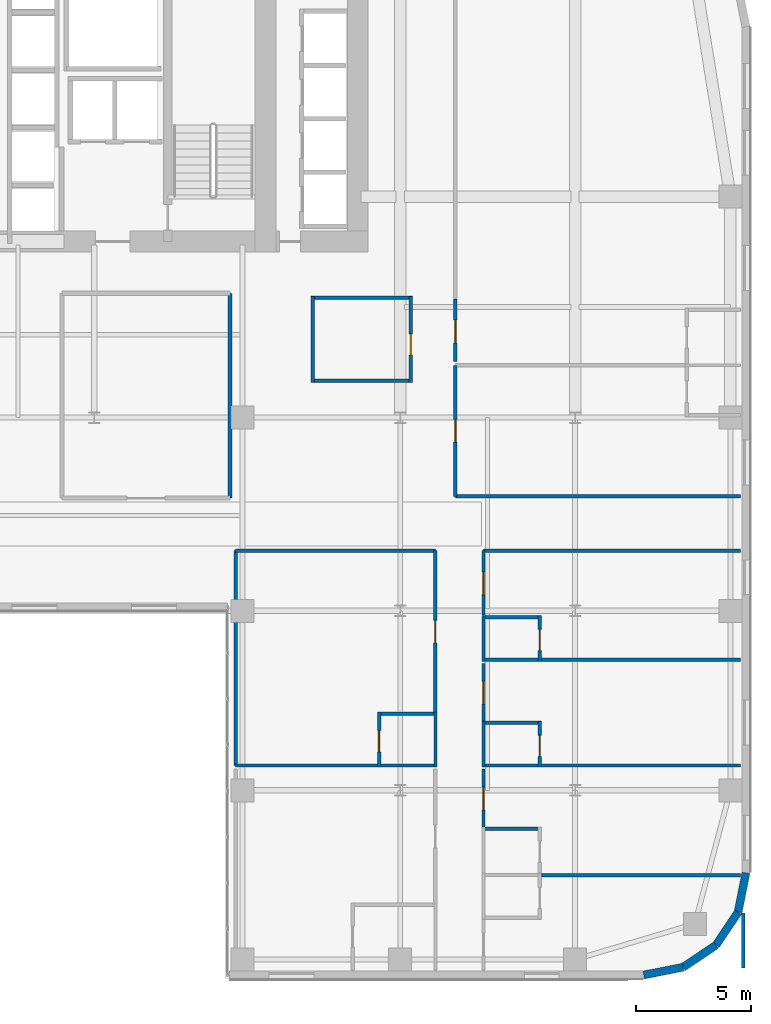
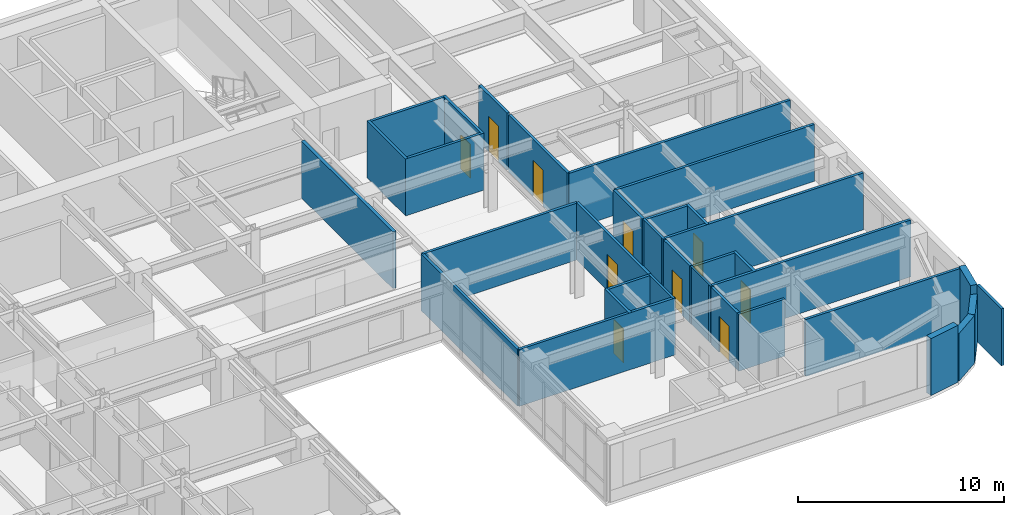
# One storey, part 16 of 24: 34 walls, 10 doors, 10 openings.
"""IFC4 building model written with IfcOpenShell, lengths in metres."""

from ifc_helpers import new_model, si_unit, direction, frame, frame_2d, origin, place, context, subcontext, project, spatial, rectangle, extrude, source, transform, mapped, material, layer, layer_set, type_object, type_shapes, element, fill, save


model = new_model("IFC4")

# Units and contexts
model_context = context("Model", 3, precision=1e-05, world=origin(), true_north=direction((0.0, 1.0)))
body_context = subcontext(model_context, "Body", "Model", "MODEL_VIEW")
ifc_project = project(units=[si_unit("LENGTHUNIT", "METRE"), si_unit("AREAUNIT", "SQUARE_METRE"), si_unit("VOLUMEUNIT", "CUBIC_METRE"), si_unit("PLANEANGLEUNIT", "RADIAN"), si_unit("MASSUNIT", "GRAM", prefix="KILO")], contexts=[model_context])

# Site, building, storey
site_placement = place(None, origin())
site = spatial("IfcSite", under=ifc_project, at=site_placement, CompositionType="ELEMENT")
building_placement = place(site_placement, origin())
building = spatial("IfcBuilding", under=site, at=building_placement, Name="Tolvann Quenvar Hotel", CompositionType="ELEMENT")
storey_placement = place(building_placement, frame((0.0, 0.0, 67.5)))
storey = spatial("IfcBuildingStorey", under=building, at=storey_placement, Name="L16", CompositionType="ELEMENT", Elevation=67.5)

# Walls
ifc_material_1 = material(Name="Kiln-fired red and buff architectural clay brickwork and terracotta masonry", Category="masonry")
ifc_layer_1 = layer(ifc_material_1, 0.35009765625)
ifc_layer_set_1 = layer_set([ifc_layer_1], Name="Kiln-fired red and buff architectural clay brickwork and terracotta masonry")
wall_type_1 = type_object("IfcWallType", Name="WALL_EXT_BRICK_350", PredefinedType="SOLIDWALL", material=ifc_layer_set_1)
wall_1_placement = place(storey_placement, frame((52.3828125, 0.175048828125, 0.0), z_axis=(0.0, 0.0, 1.0), x_axis=(0.980800971659, 0.195011420161, 0.0)))
element("IfcWall", 1, at=wall_1_placement, inside=storey, type_object=wall_type_1, Name="Exterior Chicago Brick Wall L16-E09", PredefinedType="SOLIDWALL", context=body_context, shape_type="SweptSolid", body=[
    extrude(rectangle(XDim=1.74267578125, YDim=0.35009765625, at=frame_2d((0.871337890625, 0.0))), origin(), (0.0, 0.0, 1.0), 3.3701171875),
])
for number, where, z_axis, x_axis, name in (
    (2, (54.092041015625, 0.514892578125, 0.0), (0.0, 0.0, 1.0), (0.831483840845, 0.55554893791, 0.0), "Exterior Chicago Brick Wall L16-E10"),
    (3, (55.526611328125, 1.473388671875, 0.0), (0.0, 0.0, 1.0), (0.55554893791, 0.831483840845, 0.0), "Exterior Chicago Brick Wall L16-E11"),
):
    element("IfcWall", number, at=place(storey_placement, frame(where, z_axis=z_axis, x_axis=x_axis)), inside=storey, type_object=wall_type_1, Name=name, PredefinedType="SOLIDWALL", context=body_context, shape_type="SweptSolid", body=[
        extrude(rectangle(XDim=1.725341796875, YDim=0.35009765625, at=frame_2d((0.86279296875, 0.0))), origin(), (0.0, 0.0, 1.0), 2.83203125),
    ])
wall_2_placement = place(storey_placement, frame((56.485107421875, 2.907958984375, 0.0), z_axis=(0.0, 0.0, 1.0), x_axis=(0.195011420161, 0.980800971659, 0.0)))
element("IfcWall", 4, at=wall_2_placement, inside=storey, type_object=wall_type_1, Name="Exterior Chicago Brick Wall L16-E12", PredefinedType="SOLIDWALL", context=body_context, shape_type="SweptSolid", body=[
    extrude(rectangle(XDim=1.74267578125, YDim=0.35009765625, at=frame_2d((0.871337890625, 0.0))), origin(), (0.0, 0.0, 1.0), 3.3701171875),
])
ifc_material_2 = material(Name="Acoustic twin-stud fire-rated gypsum plasterboard partition")
ifc_layer_2 = layer(ifc_material_2, 0.179931640625)
ifc_layer_set_2 = layer_set([ifc_layer_2], Name="Acoustic twin-stud fire-rated gypsum plasterboard partition")
wall_type_2 = type_object("IfcWallType", Name="WALL_PART_ACOUSTIC_180", PredefinedType="PARTITIONING", material=ifc_layer_set_2)
wall_3_placement = place(storey_placement, frame((34.39990234375, 20.89990234375, 0.0), z_axis=(0.0, 0.0, 1.0), x_axis=(0.0, 1.0, 0.0)))
element("IfcWall", 5, at=wall_3_placement, inside=storey, type_object=wall_type_2, Name="Interior Partition PT-SPC-L16-MSP-C-E", PredefinedType="PARTITIONING", context=body_context, shape_type="SweptSolid", body=[
    extrude(rectangle(XDim=8.900146484375, YDim=0.179931640625, at=frame_2d((4.4501953125, 0.0))), origin(), (0.0, 0.0, 1.0), 3.3701171875),
])
ifc_material_3 = material(Name="Moisture-resistant acoustic plumbing wall assembly")
ifc_layer_3 = layer(ifc_material_3, 0.1201171875)
ifc_layer_set_3 = layer_set([ifc_layer_3], Name="Moisture-resistant acoustic plumbing wall assembly")
wall_type_3 = type_object("IfcWallType", Name="WALL_PART_BATH_120", PredefinedType="PLUMBINGWALL", material=ifc_layer_set_3)
wall_4_placement = place(storey_placement, frame((43.330078125, 9.2099609375, 0.0), z_axis=(0.0, 0.0, 1.0), x_axis=(0.0, 1.0, 0.0)))
element("IfcWall", 6, at=wall_4_placement, inside=storey, type_object=wall_type_3, Name="Non-Rated Plumbing Partition PT-SPC-L16-ENS-EI02-E", PredefinedType="PLUMBINGWALL", context=body_context, shape_type="SweptSolid", body=[
    extrude(rectangle(XDim=2.39013671875, YDim=0.1201171875, at=frame_2d((1.195068359375, 0.0))), origin(), (0.0, 0.0, 1.0), 3.3701171875),
])
for number, where, z_axis, x_axis, name in (
    (7, (45.419921875, 9.2099609375, 0.0), (0.0, 0.0, 1.0), (0.0, 1.0, 0.0), "Non-Rated Plumbing Partition PT-SPC-L16-ENS-EO03-W"),
    (8, (45.419921875, 13.81005859375, 0.0), (0.0, 0.0, 1.0), (0.0, 1.0, 0.0), "Non-Rated Plumbing Partition PT-SPC-L16-ENS-EO04-W"),
):
    element("IfcWall", number, at=place(storey_placement, frame(where, z_axis=z_axis, x_axis=x_axis)), inside=storey, type_object=wall_type_3, Name=name, PredefinedType="PLUMBINGWALL", context=body_context, shape_type="SweptSolid", body=[
        extrude(rectangle(XDim=1.989990234375, YDim=0.1201171875, at=frame_2d((0.9951171875, 0.0))), origin(), (0.0, 0.0, 1.0), 3.3701171875),
    ])

# Wall, opening, door
ifc_layer_4 = layer(ifc_material_2, 0.14990234375)
ifc_layer_set_4 = layer_set([ifc_layer_4], Name="Acoustic twin-stud fire-rated gypsum plasterboard partition")
wall_type_4 = type_object("IfcWallType", Name="WALL_PART_SUITE_150", PredefinedType="PARTITIONING", material=ifc_layer_set_4)
wall_5_placement = place(storey_placement, frame((40.8798828125, 9.2099609375, 0.0), z_axis=(0.0, 0.0, 1.0), x_axis=(0.0, 1.0, 0.0)))
wall_5 = element("IfcWall", 9, at=wall_5_placement, inside=storey, type_object=wall_type_4, Name="Interior Partition PT-SPC-L16-ENS-EI02-ENT", PredefinedType="PARTITIONING", context=body_context, shape_type="SweptSolid", body=[
    extrude(rectangle(XDim=2.39013671875, YDim=0.14990234375, at=frame_2d((1.195068359375, 0.0))), origin(), (0.0, 0.0, 1.0), 3.3701171875),
])
opening_1_placement = place(wall_5_placement, frame((0.6650390625, 0.0, 0.0)))
opening_1 = element("IfcOpeningElement", 10, at=opening_1_placement, cuts=wall_5, Name="Opening WD-01", PredefinedType="OPENING", context=body_context, shape_type="SweptSolid", body=[
    extrude(rectangle(XDim=0.919921875, YDim=2.010009765625, at=frame_2d((0.4599609375, 1.0048828125))), frame((0.0, 0.0849609375, 0.0), z_axis=(0.0, -1.0, 0.0), x_axis=(1.0, 0.0, 0.0)), (0.0, 0.0, 1.0), 0.169921875),
])
ifc_material_4 = material(Name="Solid-core American oak acoustic fire door leaf in steel frame", Category="steel")
door_type_1 = type_object("IfcDoorType", Name="DOOR_WC_920", OperationType="NOTDEFINED", PredefinedType="DOOR", material=ifc_material_4)
shared_shape_1 = source(origin(), body_context, "Body", "SweptSolid", [
    extrude(rectangle(XDim=0.919921875, YDim=2.010009765625, at=frame_2d((0.4599609375, 1.0048828125))), frame((0.0, 0.02490234375, 0.0), z_axis=(0.0, -1.0, 0.0), x_axis=(1.0, 0.0, 0.0)), (0.0, 0.0, 1.0), 0.050048828125),
])
type_shapes(door_type_1, [shared_shape_1])
door_1_placement = place(opening_1_placement, origin())
door_1 = element("IfcDoor", 11, at=door_1_placement, inside=storey, type_object=door_type_1, Name="Interior Door DOOR-SPC-L16-ENS-EI02", OperationType="SINGLE_SWING_RIGHT", OverallHeight=2.010009765625, OverallWidth=0.919921875, PredefinedType="DOOR", context=body_context, shape_type="MappedRepresentation", body=[
    mapped(shared_shape_1, transform((0.0, 0.0, 0.0), x_axis=(1.0, 0.0, 0.0), y_axis=(0.0, 1.0, 0.0), z_axis=(0.0, 0.0, 1.0), scale=1.0)),
])
fill(opening_1, door_1)

# Walls
wall_6_placement = place(storey_placement, frame((34.64990234375, 9.280029296875, 0.0), z_axis=(0.0, 0.0, 1.0), x_axis=(1.0, 0.0, 0.0)))
element("IfcWall", 12, at=wall_6_placement, inside=storey, type_object=wall_type_4, Name="Interior Partition PT-SPC-L16-ENS-EI02-S", PredefinedType="PARTITIONING", context=body_context, shape_type="SweptSolid", body=[
    extrude(rectangle(XDim=8.75, YDim=0.14990234375, at=frame_2d((4.375, 0.0))), origin(), (0.0, 0.0, 1.0), 3.3701171875),
])
for number, where, z_axis, x_axis, name in (
    (13, (40.81005859375, 11.530029296875, 0.0), (0.0, 0.0, 1.0), (1.0, 0.0, 0.0), "Interior Partition PT-SPC-L16-ENS-EI02-N"),
    (14, (45.35009765625, 6.530029296875, 0.0), (0.0, 0.0, 1.0), (1.0, 0.0, 0.0), "Interior Partition PT-SPC-L16-ENS-EO02-N"),
):
    element("IfcWall", number, at=place(storey_placement, frame(where, z_axis=z_axis, x_axis=x_axis)), inside=storey, type_object=wall_type_4, Name=name, PredefinedType="PARTITIONING", context=body_context, shape_type="SweptSolid", body=[
        extrude(rectangle(XDim=2.58984375, YDim=0.14990234375, at=frame_2d((1.294921875, 0.0))), origin(), (0.0, 0.0, 1.0), 3.3701171875),
    ])

# Wall, opening, door
wall_7_placement = place(storey_placement, frame((47.8701171875, 9.2099609375, 0.0), z_axis=(0.0, 0.0, 1.0), x_axis=(0.0, 1.0, 0.0)))
wall_7 = element("IfcWall", 15, at=wall_7_placement, inside=storey, type_object=wall_type_4, Name="Interior Partition PT-SPC-L16-ENS-EO03-ENT", PredefinedType="PARTITIONING", context=body_context, shape_type="SweptSolid", body=[
    extrude(rectangle(XDim=1.989990234375, YDim=0.14990234375, at=frame_2d((0.9951171875, 0.0))), origin(), (0.0, 0.0, 1.0), 3.3701171875),
])
opening_2_placement = place(wall_7_placement, frame((0.465087890625, 0.0, 0.0)))
opening_2 = element("IfcOpeningElement", 16, at=opening_2_placement, cuts=wall_7, Name="Opening WD-01", PredefinedType="OPENING", context=body_context, shape_type="SweptSolid", body=[
    extrude(rectangle(XDim=0.919921875, YDim=2.010009765625, at=frame_2d((0.4599609375, 1.0048828125))), frame((0.0, 0.0849609375, 0.0), z_axis=(0.0, -1.0, 0.0), x_axis=(1.0, 0.0, 0.0)), (0.0, 0.0, 1.0), 0.169921875),
])
door_2_placement = place(opening_2_placement, origin())
door_2 = element("IfcDoor", 17, at=door_2_placement, inside=storey, type_object=door_type_1, Name="Interior Door DOOR-SPC-L16-ENS-EO03", OperationType="SINGLE_SWING_LEFT", OverallHeight=2.010009765625, OverallWidth=0.919921875, PredefinedType="DOOR", context=body_context, shape_type="MappedRepresentation", body=[
    mapped(shared_shape_1, transform((0.0, 0.0, 0.0), x_axis=(1.0, 0.0, 0.0), y_axis=(0.0, 1.0, 0.0), z_axis=(0.0, 0.0, 1.0), scale=1.0)),
])
fill(opening_2, door_2)

# Walls
wall_8_placement = place(storey_placement, frame((45.35009765625, 9.280029296875, 0.0), z_axis=(0.0, 0.0, 1.0), x_axis=(1.0, 0.0, 0.0)))
element("IfcWall", 18, at=wall_8_placement, inside=storey, type_object=wall_type_4, Name="Interior Partition PT-SPC-L16-ENS-EO03-S", PredefinedType="PARTITIONING", context=body_context, shape_type="SweptSolid", body=[
    extrude(rectangle(XDim=11.244873046875, YDim=0.14990234375, at=frame_2d((5.62255859375, 0.0))), origin(), (0.0, 0.0, 1.0), 3.3701171875),
])
wall_9_placement = place(storey_placement, frame((45.35009765625, 11.1298828125, 0.0), z_axis=(0.0, 0.0, 1.0), x_axis=(1.0, 0.0, 0.0)))
element("IfcWall", 19, at=wall_9_placement, inside=storey, type_object=wall_type_4, Name="Interior Partition PT-SPC-L16-ENS-EO03-N", PredefinedType="PARTITIONING", context=body_context, shape_type="SweptSolid", body=[
    extrude(rectangle(XDim=2.58984375, YDim=0.14990234375, at=frame_2d((1.294921875, 0.0))), origin(), (0.0, 0.0, 1.0), 3.3701171875),
])

# Wall, opening, door
wall_10_placement = place(storey_placement, frame((47.8701171875, 13.81005859375, 0.0), z_axis=(0.0, 0.0, 1.0), x_axis=(0.0, 1.0, 0.0)))
wall_10 = element("IfcWall", 20, at=wall_10_placement, inside=storey, type_object=wall_type_4, Name="Interior Partition PT-SPC-L16-ENS-EO04-ENT", PredefinedType="PARTITIONING", context=body_context, shape_type="SweptSolid", body=[
    extrude(rectangle(XDim=1.989990234375, YDim=0.14990234375, at=frame_2d((0.9951171875, 0.0))), origin(), (0.0, 0.0, 1.0), 3.3701171875),
])
opening_3_placement = place(wall_10_placement, frame((0.465087890625, 0.0, 0.0)))
opening_3 = element("IfcOpeningElement", 21, at=opening_3_placement, cuts=wall_10, Name="Opening WD-01", PredefinedType="OPENING", context=body_context, shape_type="SweptSolid", body=[
    extrude(rectangle(XDim=0.919921875, YDim=2.010009765625, at=frame_2d((0.4599609375, 1.0048828125))), frame((0.0, 0.0849609375, 0.0), z_axis=(0.0, -1.0, 0.0), x_axis=(1.0, 0.0, 0.0)), (0.0, 0.0, 1.0), 0.169921875),
])
door_3_placement = place(opening_3_placement, origin())
door_3 = element("IfcDoor", 22, at=door_3_placement, inside=storey, type_object=door_type_1, Name="Interior Door DOOR-SPC-L16-ENS-EO04", OperationType="SINGLE_SWING_RIGHT", OverallHeight=2.010009765625, OverallWidth=0.919921875, PredefinedType="DOOR", context=body_context, shape_type="MappedRepresentation", body=[
    mapped(shared_shape_1, transform((0.0, 0.0, 0.0), x_axis=(1.0, 0.0, 0.0), y_axis=(0.0, 1.0, 0.0), z_axis=(0.0, 0.0, 1.0), scale=1.0)),
])
fill(opening_3, door_3)

# Walls
wall_11_placement = place(storey_placement, frame((45.35009765625, 13.8798828125, 0.0), z_axis=(0.0, 0.0, 1.0), x_axis=(1.0, 0.0, 0.0)))
element("IfcWall", 23, at=wall_11_placement, inside=storey, type_object=wall_type_4, Name="Interior Partition PT-SPC-L16-ENS-EO04-S", PredefinedType="PARTITIONING", context=body_context, shape_type="SweptSolid", body=[
    extrude(rectangle(XDim=11.244873046875, YDim=0.14990234375, at=frame_2d((5.62255859375, 0.0))), origin(), (0.0, 0.0, 1.0), 3.3701171875),
])
wall_12_placement = place(storey_placement, frame((45.35009765625, 15.72998046875, 0.0), z_axis=(0.0, 0.0, 1.0), x_axis=(1.0, 0.0, 0.0)))
element("IfcWall", 24, at=wall_12_placement, inside=storey, type_object=wall_type_4, Name="Interior Partition PT-SPC-L16-ENS-EO04-N", PredefinedType="PARTITIONING", context=body_context, shape_type="SweptSolid", body=[
    extrude(rectangle(XDim=2.58984375, YDim=0.14990234375, at=frame_2d((1.294921875, 0.0))), origin(), (0.0, 0.0, 1.0), 3.3701171875),
])

# Wall, opening, door
wall_13_placement = place(storey_placement, frame((43.330078125, 11.610107421875, 0.0), z_axis=(0.0, 0.0, 1.0), x_axis=(0.0, 1.0, 0.0)))
wall_13 = element("IfcWall", 25, at=wall_13_placement, inside=storey, type_object=wall_type_4, Name="Interior Partition PT-SPC-L16-RM-EI02-ENT", PredefinedType="PARTITIONING", context=body_context, shape_type="SweptSolid", body=[
    extrude(rectangle(XDim=7.010009765625, YDim=0.14990234375, at=frame_2d((3.5048828125, 0.0))), origin(), (0.0, 0.0, 1.0), 3.3701171875),
])
opening_4_placement = place(wall_13_placement, frame((2.9951171875, 0.0, 0.0)))
opening_4 = element("IfcOpeningElement", 26, at=opening_4_placement, cuts=wall_13, Name="Opening SD-01", PredefinedType="OPENING", context=body_context, shape_type="SweptSolid", body=[
    extrude(rectangle(XDim=0.97998046875, YDim=2.1201171875, at=frame_2d((0.489990234375, 1.06005859375))), frame((0.0, 0.0849609375, 0.0), z_axis=(0.0, -1.0, 0.0), x_axis=(1.0, 0.0, 0.0)), (0.0, 0.0, 1.0), 0.169921875),
])
door_type_2 = type_object("IfcDoorType", Name="DOOR_SUITE_980", OperationType="NOTDEFINED", PredefinedType="DOOR", material=ifc_material_4)
shared_shape_2 = source(origin(), body_context, "Body", "SweptSolid", [
    extrude(rectangle(XDim=0.97998046875, YDim=2.1201171875, at=frame_2d((0.489990234375, 1.06005859375))), frame((0.0, 0.02490234375, 0.0), z_axis=(0.0, -1.0, 0.0), x_axis=(1.0, 0.0, 0.0)), (0.0, 0.0, 1.0), 0.050048828125),
])
type_shapes(door_type_2, [shared_shape_2])
door_4_placement = place(opening_4_placement, origin())
door_4 = element("IfcDoor", 27, at=door_4_placement, inside=storey, type_object=door_type_2, Name="Interior Door DOOR-SPC-L16-RM-EI02", OperationType="SINGLE_SWING_RIGHT", OverallHeight=2.1201171875, OverallWidth=0.97998046875, PredefinedType="DOOR", context=body_context, shape_type="MappedRepresentation", body=[
    mapped(shared_shape_2, transform((0.0, 0.0, 0.0), x_axis=(1.0, 0.0, 0.0), y_axis=(0.0, 1.0, 0.0), z_axis=(0.0, 0.0, 1.0), scale=1.0)),
])
fill(opening_4, door_4)

# Walls
wall_14_placement = place(storey_placement, frame((34.64990234375, 18.6201171875, 0.0), z_axis=(0.0, 0.0, 1.0), x_axis=(1.0, 0.0, 0.0)))
element("IfcWall", 28, at=wall_14_placement, inside=storey, type_object=wall_type_4, Name="Interior Partition PT-SPC-L16-RM-EI02-E5", PredefinedType="PARTITIONING", context=body_context, shape_type="SweptSolid", body=[
    extrude(rectangle(XDim=8.68017578125, YDim=0.14990234375, at=frame_2d((4.340087890625, 0.0))), origin(), (0.0, 0.0, 1.0), 3.3701171875),
])
wall_15_placement = place(storey_placement, frame((34.64990234375, 9.280029296875, 0.0), z_axis=(0.0, 0.0, 1.0), x_axis=(0.0, 1.0, 0.0)))
element("IfcWall", 29, at=wall_15_placement, inside=storey, type_object=wall_type_4, Name="Interior Partition PT-SPC-L16-RM-EI02-E6", PredefinedType="PARTITIONING", context=body_context, shape_type="SweptSolid", body=[
    extrude(rectangle(XDim=9.340087890625, YDim=0.14990234375, at=frame_2d((4.669921875, 0.0))), origin(), (0.0, 0.0, 1.0), 3.3701171875),
])
wall_16_placement = place(storey_placement, frame((56.699951171875, 0.47998046875, 0.0), z_axis=(0.0, 0.0, 1.0), x_axis=(0.0, 1.0, 0.0)))
element("IfcWall", 30, at=wall_16_placement, inside=storey, type_object=wall_type_4, Name="Interior Partition PT-SPC-L16-RM-EO01-E2", PredefinedType="PARTITIONING", context=body_context, shape_type="SweptSolid", body=[
    extrude(rectangle(XDim=2.385009765625, YDim=0.14990234375, at=frame_2d((1.1923828125, 0.0))), origin(), (0.0, 0.0, 1.0), 3.3701171875),
])
wall_17_placement = place(storey_placement, frame((47.949951171875, 4.52001953125, 0.0), z_axis=(0.0, 0.0, 1.0), x_axis=(1.0, 0.0, 0.0)))
element("IfcWall", 31, at=wall_17_placement, inside=storey, type_object=wall_type_4, Name="Interior Partition PT-SPC-L16-RM-EO01-E3", PredefinedType="PARTITIONING", context=body_context, shape_type="SweptSolid", body=[
    extrude(rectangle(XDim=8.64501953125, YDim=0.14990234375, at=frame_2d((4.322509765625, 0.0))), origin(), (0.0, 0.0, 1.0), 3.3701171875),
])

# Wall, opening, door
wall_18_placement = place(storey_placement, frame((45.419921875, 6.610107421875, 0.0), z_axis=(0.0, 0.0, 1.0), x_axis=(0.0, 1.0, 0.0)))
wall_18 = element("IfcWall", 32, at=wall_18_placement, inside=storey, type_object=wall_type_4, Name="Interior Partition PT-SPC-L16-RM-EO02-ENT", PredefinedType="PARTITIONING", context=body_context, shape_type="SweptSolid", body=[
    extrude(rectangle(XDim=2.510009765625, YDim=0.14990234375, at=frame_2d((1.2548828125, 0.0))), origin(), (0.0, 0.0, 1.0), 3.3701171875),
])
opening_5_placement = place(wall_18_placement, frame((0.7451171875, 0.0, 0.0)))
opening_5 = element("IfcOpeningElement", 33, at=opening_5_placement, cuts=wall_18, Name="Opening SD-01", PredefinedType="OPENING", context=body_context, shape_type="SweptSolid", body=[
    extrude(rectangle(XDim=0.97998046875, YDim=2.1201171875, at=frame_2d((0.489990234375, 1.06005859375))), frame((0.0, 0.0849609375, 0.0), z_axis=(0.0, -1.0, 0.0), x_axis=(1.0, 0.0, 0.0)), (0.0, 0.0, 1.0), 0.169921875),
])
door_5_placement = place(opening_5_placement, origin())
door_5 = element("IfcDoor", 34, at=door_5_placement, inside=storey, type_object=door_type_2, Name="Interior Door DOOR-SPC-L16-RM-EO02", OperationType="SINGLE_SWING_RIGHT", OverallHeight=2.1201171875, OverallWidth=0.97998046875, PredefinedType="DOOR", context=body_context, shape_type="MappedRepresentation", body=[
    mapped(shared_shape_2, transform((0.0, 0.0, 0.0), x_axis=(1.0, 0.0, 0.0), y_axis=(0.0, 1.0, 0.0), z_axis=(0.0, 0.0, 1.0), scale=1.0)),
])
fill(opening_5, door_5)

wall_19_placement = place(storey_placement, frame((45.419921875, 11.2099609375, 0.0), z_axis=(0.0, 0.0, 1.0), x_axis=(0.0, 1.0, 0.0)))
wall_19 = element("IfcWall", 35, at=wall_19_placement, inside=storey, type_object=wall_type_4, Name="Interior Partition PT-SPC-L16-RM-EO03-ENT", PredefinedType="PARTITIONING", context=body_context, shape_type="SweptSolid", body=[
    extrude(rectangle(XDim=2.510009765625, YDim=0.14990234375, at=frame_2d((1.2548828125, 0.0))), origin(), (0.0, 0.0, 1.0), 3.3701171875),
])
opening_6_placement = place(wall_19_placement, frame((0.7451171875, 0.0, 0.0)))
opening_6 = element("IfcOpeningElement", 36, at=opening_6_placement, cuts=wall_19, Name="Opening SD-01", PredefinedType="OPENING", context=body_context, shape_type="SweptSolid", body=[
    extrude(rectangle(XDim=0.97998046875, YDim=2.1201171875, at=frame_2d((0.489990234375, 1.06005859375))), frame((0.0, 0.0849609375, 0.0), z_axis=(0.0, -1.0, 0.0), x_axis=(1.0, 0.0, 0.0)), (0.0, 0.0, 1.0), 0.169921875),
])
door_6_placement = place(opening_6_placement, origin())
door_6 = element("IfcDoor", 37, at=door_6_placement, inside=storey, type_object=door_type_2, Name="Interior Door DOOR-SPC-L16-RM-EO03", OperationType="SINGLE_SWING_LEFT", OverallHeight=2.1201171875, OverallWidth=0.97998046875, PredefinedType="DOOR", context=body_context, shape_type="MappedRepresentation", body=[
    mapped(shared_shape_2, transform((0.0, 0.0, 0.0), x_axis=(1.0, 0.0, 0.0), y_axis=(0.0, 1.0, 0.0), z_axis=(0.0, 0.0, 1.0), scale=1.0)),
])
fill(opening_6, door_6)

wall_20_placement = place(storey_placement, frame((45.419921875, 15.81005859375, 0.0), z_axis=(0.0, 0.0, 1.0), x_axis=(0.0, 1.0, 0.0)))
wall_20 = element("IfcWall", 38, at=wall_20_placement, inside=storey, type_object=wall_type_4, Name="Interior Partition PT-SPC-L16-RM-EO04-ENT", PredefinedType="PARTITIONING", context=body_context, shape_type="SweptSolid", body=[
    extrude(rectangle(XDim=2.81005859375, YDim=0.14990234375, at=frame_2d((1.405029296875, 0.0))), origin(), (0.0, 0.0, 1.0), 3.3701171875),
])
opening_7_placement = place(wall_20_placement, frame((0.89501953125, 0.0, 0.0)))
opening_7 = element("IfcOpeningElement", 39, at=opening_7_placement, cuts=wall_20, Name="Opening SD-01", PredefinedType="OPENING", context=body_context, shape_type="SweptSolid", body=[
    extrude(rectangle(XDim=0.97998046875, YDim=2.1201171875, at=frame_2d((0.489990234375, 1.06005859375))), frame((0.0, 0.0849609375, 0.0), z_axis=(0.0, -1.0, 0.0), x_axis=(1.0, 0.0, 0.0)), (0.0, 0.0, 1.0), 0.169921875),
])
door_7_placement = place(opening_7_placement, origin())
door_7 = element("IfcDoor", 40, at=door_7_placement, inside=storey, type_object=door_type_2, Name="Interior Door DOOR-SPC-L16-RM-EO04", OperationType="SINGLE_SWING_RIGHT", OverallHeight=2.1201171875, OverallWidth=0.97998046875, PredefinedType="DOOR", context=body_context, shape_type="MappedRepresentation", body=[
    mapped(shared_shape_2, transform((0.0, 0.0, 0.0), x_axis=(1.0, 0.0, 0.0), y_axis=(0.0, 1.0, 0.0), z_axis=(0.0, 0.0, 1.0), scale=1.0)),
])
fill(opening_7, door_7)

# Wall
wall_21_placement = place(storey_placement, frame((45.419921875, 18.6201171875, 0.0), z_axis=(0.0, 0.0, 1.0), x_axis=(1.0, 0.0, 0.0)))
element("IfcWall", 41, at=wall_21_placement, inside=storey, type_object=wall_type_4, Name="Interior Partition PT-SPC-L16-RM-EO04-E5", PredefinedType="PARTITIONING", context=body_context, shape_type="SweptSolid", body=[
    extrude(rectangle(XDim=11.175048828125, YDim=0.14990234375, at=frame_2d((5.58740234375, 0.0))), origin(), (0.0, 0.0, 1.0), 3.3701171875),
])

# Wall, opening, door
wall_22_placement = place(storey_placement, frame((44.199951171875, 20.97998046875, 0.0), z_axis=(0.0, 0.0, 1.0), x_axis=(0.0, 1.0, 0.0)))
wall_22 = element("IfcWall", 42, at=wall_22_placement, inside=storey, type_object=wall_type_4, Name="Interior Partition PT-SPC-L16-RM-NE01-ENT", PredefinedType="PARTITIONING", context=body_context, shape_type="SweptSolid", body=[
    extrude(rectangle(XDim=5.68994140625, YDim=0.14990234375, at=frame_2d((2.844970703125, 0.0))), origin(), (0.0, 0.0, 1.0), 3.3701171875),
])
opening_8_placement = place(wall_22_placement, frame((2.35498046875, 0.0, 0.0)))
opening_8 = element("IfcOpeningElement", 43, at=opening_8_placement, cuts=wall_22, Name="Opening SD-01", PredefinedType="OPENING", context=body_context, shape_type="SweptSolid", body=[
    extrude(rectangle(XDim=0.97998046875, YDim=2.1201171875, at=frame_2d((0.489990234375, 1.06005859375))), frame((0.0, 0.0849609375, 0.0), z_axis=(0.0, -1.0, 0.0), x_axis=(1.0, 0.0, 0.0)), (0.0, 0.0, 1.0), 0.169921875),
])
door_8_placement = place(opening_8_placement, origin())
door_8 = element("IfcDoor", 44, at=door_8_placement, inside=storey, type_object=door_type_2, Name="Interior Door DOOR-SPC-L16-RM-NE01", OperationType="SINGLE_SWING_RIGHT", OverallHeight=2.1201171875, OverallWidth=0.97998046875, PredefinedType="DOOR", context=body_context, shape_type="MappedRepresentation", body=[
    mapped(shared_shape_2, transform((0.0, 0.0, 0.0), x_axis=(1.0, 0.0, 0.0), y_axis=(0.0, 1.0, 0.0), z_axis=(0.0, 0.0, 1.0), scale=1.0)),
])
fill(opening_8, door_8)

# Wall
wall_23_placement = place(storey_placement, frame((44.199951171875, 20.97998046875, 0.0), z_axis=(0.0, 0.0, 1.0), x_axis=(1.0, 0.0, 0.0)))
element("IfcWall", 45, at=wall_23_placement, inside=storey, type_object=wall_type_4, Name="Interior Partition PT-SPC-L16-RM-NE01-E1", PredefinedType="PARTITIONING", context=body_context, shape_type="SweptSolid", body=[
    extrude(rectangle(XDim=12.39501953125, YDim=0.14990234375, at=frame_2d((6.197509765625, 0.0))), origin(), (0.0, 0.0, 1.0), 3.3701171875),
])

# Wall, opening, door
wall_24_placement = place(storey_placement, frame((44.199951171875, 26.830078125, 0.0), z_axis=(0.0, 0.0, 1.0), x_axis=(0.0, 1.0, 0.0)))
wall_24 = element("IfcWall", 46, at=wall_24_placement, inside=storey, type_object=wall_type_4, Name="Interior Partition PT-SPC-L16-RM-NE02-ENT", PredefinedType="PARTITIONING", context=body_context, shape_type="SweptSolid", body=[
    extrude(rectangle(XDim=2.72998046875, YDim=0.14990234375, at=frame_2d((1.364990234375, 0.0))), origin(), (0.0, 0.0, 1.0), 3.3701171875),
])
opening_9_placement = place(wall_24_placement, frame((0.820068359375, 0.0, 0.0)))
opening_9 = element("IfcOpeningElement", 47, at=opening_9_placement, cuts=wall_24, Name="Opening SD-01", PredefinedType="OPENING", context=body_context, shape_type="SweptSolid", body=[
    extrude(rectangle(XDim=0.97998046875, YDim=2.1201171875, at=frame_2d((0.489990234375, 1.06005859375))), frame((0.0, 0.0849609375, 0.0), z_axis=(0.0, -1.0, 0.0), x_axis=(1.0, 0.0, 0.0)), (0.0, 0.0, 1.0), 0.169921875),
])
door_9_placement = place(opening_9_placement, origin())
door_9 = element("IfcDoor", 48, at=door_9_placement, inside=storey, type_object=door_type_2, Name="Interior Door DOOR-SPC-L16-RM-NE02", OperationType="SINGLE_SWING_LEFT", OverallHeight=2.1201171875, OverallWidth=0.97998046875, PredefinedType="DOOR", context=body_context, shape_type="MappedRepresentation", body=[
    mapped(shared_shape_2, transform((0.0, 0.0, 0.0), x_axis=(1.0, 0.0, 0.0), y_axis=(0.0, 1.0, 0.0), z_axis=(0.0, 0.0, 1.0), scale=1.0)),
])
fill(opening_9, door_9)

wall_25_placement = place(storey_placement, frame((42.260009765625, 25.929931640625, 0.0), z_axis=(0.0, 0.0, 1.0), x_axis=(0.0, 1.0, 0.0)))
wall_25 = element("IfcWall", 49, at=wall_25_placement, inside=storey, type_object=wall_type_4, Name="Interior Partition PT-SPC-L16-WCA-ENT", PredefinedType="PARTITIONING", context=body_context, shape_type="SweptSolid", body=[
    extrude(rectangle(XDim=3.739990234375, YDim=0.14990234375, at=frame_2d((1.8701171875, 0.0))), origin(), (0.0, 0.0, 1.0), 3.3701171875),
])
opening_10_placement = place(wall_25_placement, frame((1.18994140625, 0.0, 0.0)))
opening_10 = element("IfcOpeningElement", 50, at=opening_10_placement, cuts=wall_25, Name="Opening WD-01", PredefinedType="OPENING", context=body_context, shape_type="SweptSolid", body=[
    extrude(rectangle(XDim=0.919921875, YDim=2.010009765625, at=frame_2d((0.4599609375, 1.0048828125))), frame((0.0, 0.0849609375, 0.0), z_axis=(0.0, -1.0, 0.0), x_axis=(1.0, 0.0, 0.0)), (0.0, 0.0, 1.0), 0.169921875),
])
door_10_placement = place(opening_10_placement, origin())
door_10 = element("IfcDoor", 51, at=door_10_placement, inside=storey, type_object=door_type_1, Name="Interior Door DOOR-SPC-L16-WCA", OperationType="SINGLE_SWING_RIGHT", OverallHeight=2.010009765625, OverallWidth=0.919921875, PredefinedType="DOOR", context=body_context, shape_type="MappedRepresentation", body=[
    mapped(shared_shape_1, transform((0.0, 0.0, 0.0), x_axis=(1.0, 0.0, 0.0), y_axis=(0.0, 1.0, 0.0), z_axis=(0.0, 0.0, 1.0), scale=1.0)),
])
fill(opening_10, door_10)

# Walls
for number, where, z_axis, x_axis, name in (
    (52, (37.929931640625, 26.0, 0.0), (0.0, 0.0, 1.0), (1.0, 0.0, 0.0), "Interior Partition PT-SPC-L16-WCA-S"),
    (53, (37.929931640625, 29.60009765625, 0.0), (0.0, 0.0, 1.0), (1.0, 0.0, 0.0), "Interior Partition PT-SPC-L16-WCA-N"),
):
    element("IfcWall", number, at=place(storey_placement, frame(where, z_axis=z_axis, x_axis=x_axis)), inside=storey, type_object=wall_type_4, Name=name, PredefinedType="PARTITIONING", context=body_context, shape_type="SweptSolid", body=[
        extrude(rectangle(XDim=4.400146484375, YDim=0.14990234375, at=frame_2d((2.2001953125, 0.0))), origin(), (0.0, 0.0, 1.0), 3.3701171875),
    ])
wall_26_placement = place(storey_placement, frame((38.0, 25.929931640625, 0.0), z_axis=(0.0, 0.0, 1.0), x_axis=(0.0, 1.0, 0.0)))
element("IfcWall", 54, at=wall_26_placement, inside=storey, type_object=wall_type_4, Name="Interior Partition PT-SPC-L16-WCA-W", PredefinedType="PARTITIONING", context=body_context, shape_type="SweptSolid", body=[
    extrude(rectangle(XDim=3.739990234375, YDim=0.14990234375, at=frame_2d((1.8701171875, 0.0))), origin(), (0.0, 0.0, 1.0), 3.3701171875),
])

save(model, "model.ifc")
